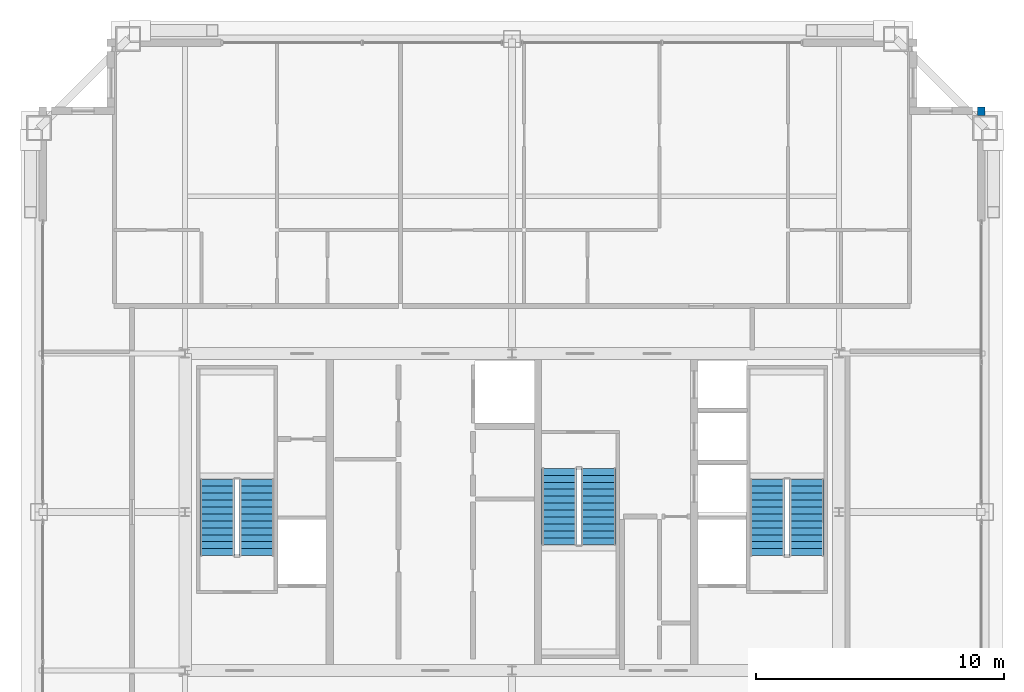
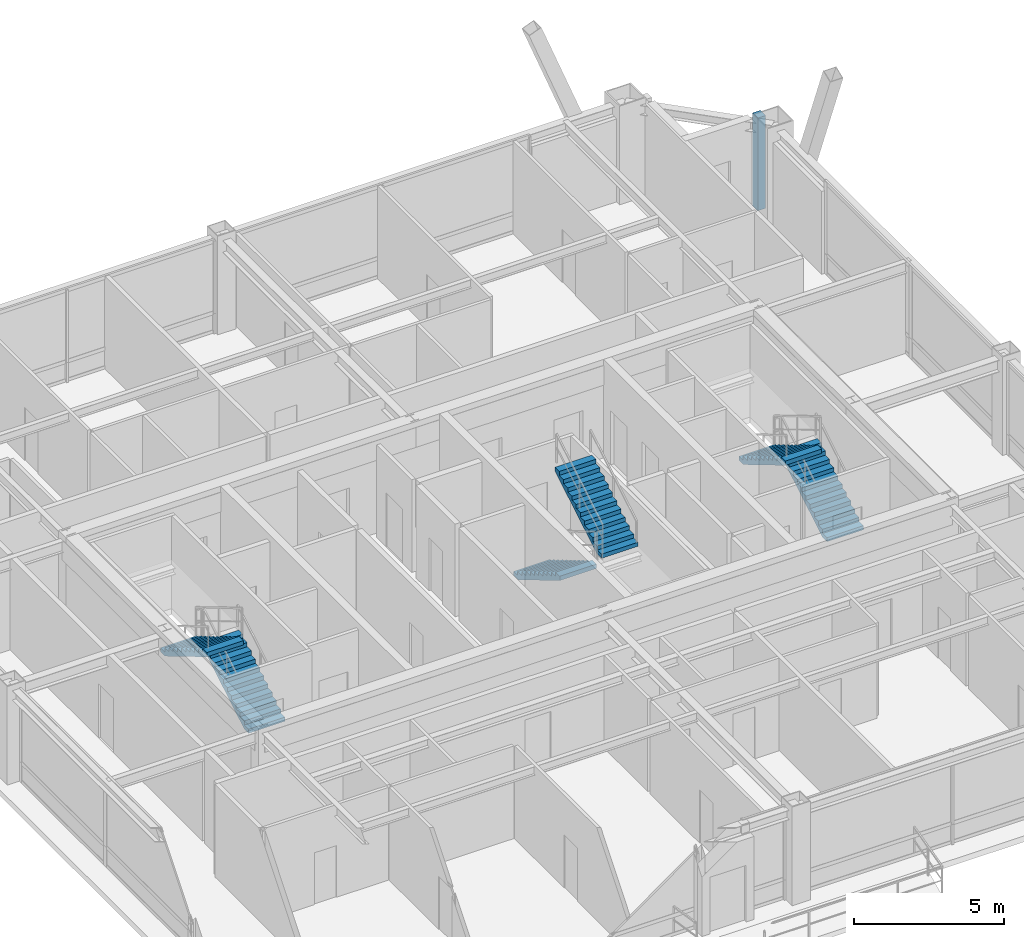
# One storey, part 34 of 35: 6 stair flights, 1 wall, 3 elements without a shape of their own.
"""IFC4 building model written with IfcOpenShell, lengths in metres."""

from ifc_helpers import new_model, si_unit, direction, frame, frame_2d, origin, place, context, subcontext, project, spatial, polyline, rectangle, outline, extrude, source, transform, mapped, material, layer, layer_set, type_object, element, aggregate, save


model = new_model("IFC4")

# Units and contexts
model_context = context("Model", 3, precision=1e-05, world=origin(), true_north=direction((0.0, 1.0)))
body_context = subcontext(model_context, "Body", "Model", "MODEL_VIEW")
ifc_project = project(units=[si_unit("LENGTHUNIT", "METRE"), si_unit("AREAUNIT", "SQUARE_METRE"), si_unit("VOLUMEUNIT", "CUBIC_METRE"), si_unit("PLANEANGLEUNIT", "RADIAN"), si_unit("MASSUNIT", "GRAM", prefix="KILO"), si_unit("THERMODYNAMICTEMPERATUREUNIT", "KELVIN"), si_unit("POWERUNIT", "WATT")], contexts=[model_context])

# Site, building, storey
site_placement = place(None, origin())
site = spatial("IfcSite", under=ifc_project, at=site_placement, CompositionType="ELEMENT")
building_placement = place(site_placement, origin())
building = spatial("IfcBuilding", under=site, at=building_placement, Name="Yuzanri Waterfront Tower", CompositionType="ELEMENT")
storey_placement = place(building_placement, frame((0.0, 0.0, 343.199951171875)))
storey = spatial("IfcBuildingStorey", under=building, at=storey_placement, Name="L92", CompositionType="ELEMENT", Elevation=343.199951171875)

# Wall
ifc_material_1 = material(Name="Honed Chongqing Dark Basalt Stone", Category="masonry")
ifc_layer = layer(ifc_material_1, 0.300048828125)
ifc_layer_set = layer_set([ifc_layer], Name="Honed Chongqing Dark Basalt Stone")
wall_type = type_object("IfcWallType", Name="Bronze Rainscreen Insulated Spandrel Portal Wall 300", PredefinedType="SOLIDWALL", material=ifc_layer_set)
shared_shape_1 = source(origin(), body_context, "Body", "SweptSolid", [
    extrude(rectangle(XDim=0.349853515625, YDim=0.300048828125, at=frame_2d((0.1748046875, 0.0))), origin(), (0.0, 0.0, 1.0), 3.760009765625),
])
wall_placement = place(storey_placement, frame((55.949951171875, 41.800048828125, 0.0), z_axis=(0.0, 0.0, 1.0), x_axis=(0.0, 1.0, 0.0)))
element("IfcWall", 1, at=wall_placement, inside=storey, type_object=wall_type, Name="L92 Corner Column Shoulder Return CEN", PredefinedType="SOLIDWALL", context=body_context, shape_type="MappedRepresentation", body=[
    mapped(shared_shape_1, transform((0.0, 0.0, 0.0), scale=1.0)),
])

# Stair, stair flights
ifc_material_2 = material(Name="Concrete C40", Category="concrete")
stair_type = type_object("IfcStairType", Name="Concrete C40 Core Dogleg Exit Stair", PredefinedType="HALF_TURN_STAIR", material=ifc_material_2)
stair_1_placement = place(storey_placement, origin())
stair_1 = element("IfcStair", 2, at=stair_1_placement, inside=storey, type_object=stair_type, Name="L92 Smoke-Proof Core Stair ST-01", PredefinedType="HALF_TURN_STAIR")
ifc_material_3 = material(Name="Concrete C40", Category="concrete")
stair_flight_type = type_object("IfcStairFlightType", Name="Concrete C40 Precast Stair Flight 1380", PredefinedType="STRAIGHT", material=ifc_material_3)
shared_shape_2 = source(origin(), body_context, "Body", "SweptSolid", [
    extrude(outline(polyline([(0.0, 0.0), (0.0, 0.166748046875), (0.280029296875, 0.166748046875), (0.280029296875, 0.333251953125), (0.56005859375, 0.333251953125), (0.56005859375, 0.5), (0.840087890625, 0.5), (0.840087890625, 0.666748046875), (1.1201171875, 0.666748046875), (1.1201171875, 0.833251953125), (1.39990234375, 0.833251953125), (1.39990234375, 1.0), (1.679931640625, 1.0), (1.679931640625, 1.166748046875), (1.9599609375, 1.166748046875), (1.9599609375, 1.333251953125), (2.239990234375, 1.333251953125), (2.239990234375, 1.5), (2.52001953125, 1.5), (2.52001953125, 1.666748046875), (2.800048828125, 1.666748046875), (2.800048828125, 1.833251953125), (3.080078125, 1.833251953125), (3.080078125, 2.0), (3.080078125, 1.658935546875), (0.29296875, 0.0), (0.0, 0.0)])), frame((0.0, 0.699951171875, 0.0), z_axis=(0.0, -1.0, 0.0), x_axis=(1.0, 0.0, 0.0)), (0.0, 0.0, 1.0), 1.39990234375),
])
stair_flight_1_placement = place(storey_placement, frame((26.699951171875, 24.0400390625, 0.0), z_axis=(0.0, 0.0, 1.0), x_axis=(0.0, 1.0, 0.0)))
stair_flight_1 = element("IfcStairFlight", 3, at=stair_flight_1_placement, type_object=stair_flight_type, Name="ST-01 flight 1", NumberOfRisers=12, NumberOfTreads=11, PredefinedType="STRAIGHT", RiserHeight=0.166666667, TreadLength=0.28, context=body_context, shape_type="MappedRepresentation", body=[
    mapped(shared_shape_2, transform((0.0, 0.0, 0.0), scale=1.0)),
])
stair_flight_2_placement = place(storey_placement, frame((25.10009765625, 27.1201171875, 2.0), z_axis=(0.0, 0.0, 1.0), x_axis=(0.0, -1.0, 0.0)))
stair_flight_2 = element("IfcStairFlight", 4, at=stair_flight_2_placement, type_object=stair_flight_type, Name="ST-01 flight 2", NumberOfRisers=12, NumberOfTreads=11, PredefinedType="STRAIGHT", RiserHeight=0.166666667, TreadLength=0.28, context=body_context, shape_type="MappedRepresentation", body=[
    mapped(shared_shape_2, transform((0.0, 0.0, 0.0), scale=1.0)),
])
aggregate(stair_1, [stair_flight_1, stair_flight_2])

stair_2_placement = place(storey_placement, origin())
stair_2 = element("IfcStair", 5, at=stair_2_placement, inside=storey, type_object=stair_type, Name="L92 Smoke-Proof Core Stair ST-02", PredefinedType="HALF_TURN_STAIR")
stair_flight_3_placement = place(storey_placement, frame((48.89990234375, 24.0400390625, 0.0), z_axis=(0.0, 0.0, 1.0), x_axis=(0.0, 1.0, 0.0)))
stair_flight_3 = element("IfcStairFlight", 6, at=stair_flight_3_placement, type_object=stair_flight_type, Name="ST-02 flight 1", NumberOfRisers=12, NumberOfTreads=11, PredefinedType="STRAIGHT", RiserHeight=0.166666667, TreadLength=0.28, context=body_context, shape_type="MappedRepresentation", body=[
    mapped(shared_shape_2, transform((0.0, 0.0, 0.0), scale=1.0)),
])
stair_flight_4_placement = place(storey_placement, frame((47.300048828125, 27.1201171875, 2.0), z_axis=(0.0, 0.0, 1.0), x_axis=(0.0, -1.0, 0.0)))
stair_flight_4 = element("IfcStairFlight", 7, at=stair_flight_4_placement, type_object=stair_flight_type, Name="ST-02 flight 2", NumberOfRisers=12, NumberOfTreads=11, PredefinedType="STRAIGHT", RiserHeight=0.166666667, TreadLength=0.28, context=body_context, shape_type="MappedRepresentation", body=[
    mapped(shared_shape_2, transform((0.0, 0.0, 0.0), scale=1.0)),
])
aggregate(stair_2, [stair_flight_3, stair_flight_4])

stair_3_placement = place(storey_placement, origin())
stair_3 = element("IfcStair", 8, at=stair_3_placement, inside=storey, type_object=stair_type, Name="L92 Smoke-Proof Core Stair ST-03", PredefinedType="HALF_TURN_STAIR")
stair_flight_5_placement = place(storey_placement, frame((38.89990234375, 27.56005859375, 0.0), z_axis=(0.0, 0.0, 1.0), x_axis=(0.0, -1.0, 0.0)))
stair_flight_5 = element("IfcStairFlight", 9, at=stair_flight_5_placement, type_object=stair_flight_type, Name="ST-03 flight 1", NumberOfRisers=12, NumberOfTreads=11, PredefinedType="STRAIGHT", RiserHeight=0.166666667, TreadLength=0.28, context=body_context, shape_type="MappedRepresentation", body=[
    mapped(shared_shape_2, transform((0.0, 0.0, 0.0), scale=1.0)),
])
stair_flight_6_placement = place(storey_placement, frame((40.5, 24.47998046875, 2.0), z_axis=(0.0, 0.0, 1.0), x_axis=(0.0, 1.0, 0.0)))
stair_flight_6 = element("IfcStairFlight", 10, at=stair_flight_6_placement, type_object=stair_flight_type, Name="ST-03 flight 2", NumberOfRisers=12, NumberOfTreads=11, PredefinedType="STRAIGHT", RiserHeight=0.166666667, TreadLength=0.28, context=body_context, shape_type="MappedRepresentation", body=[
    mapped(shared_shape_2, transform((0.0, 0.0, 0.0), scale=1.0)),
])
aggregate(stair_3, [stair_flight_5, stair_flight_6])

save(model, "model.ifc")
